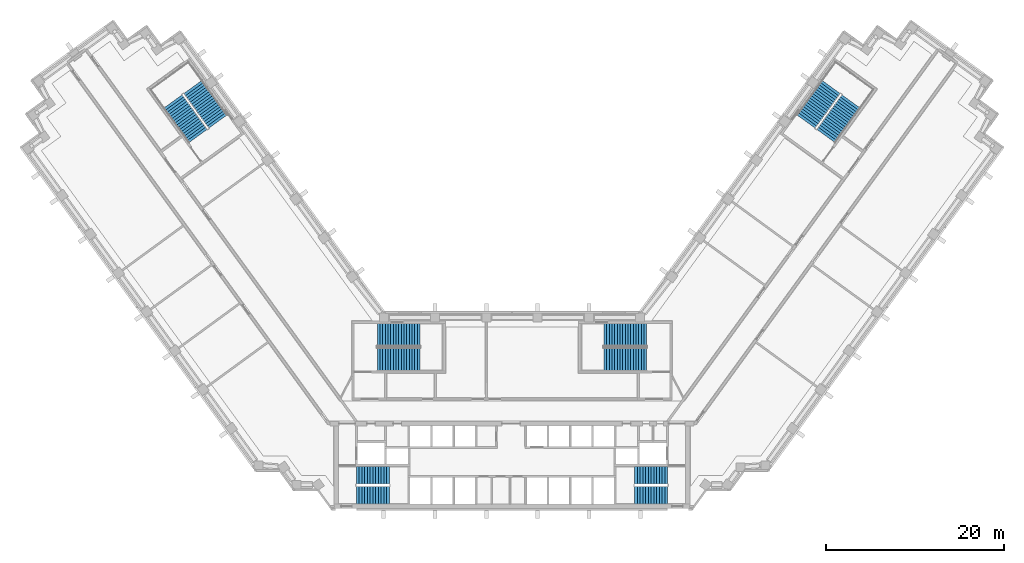
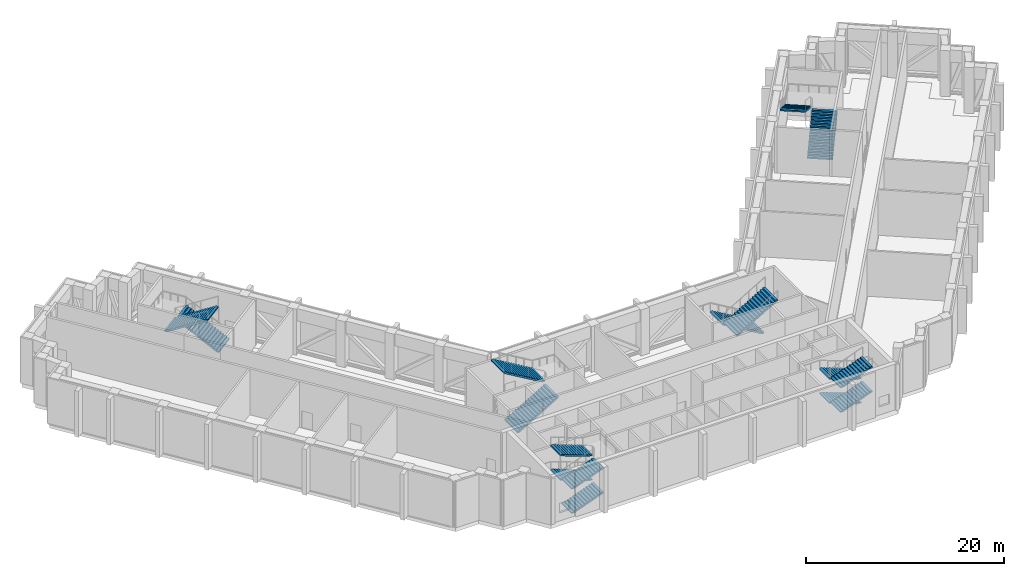
# One storey, part 16 of 19: 16 stair flights, 6 elements without a shape of their own.
"""IFC4 building model written with IfcOpenShell, lengths in metres."""

from ifc_helpers import new_model, si_unit, direction, frame, origin, place, context, subcontext, project, spatial, polyline, outline, extrude, material, type_object, element, aggregate, save


model = new_model("IFC4")

# Units and contexts
model_context = context("Model", 3, precision=1e-05, world=origin(), true_north=direction((0.0, 1.0)))
body_context = subcontext(model_context, "Body", "Model", "MODEL_VIEW")
ifc_project = project(units=[si_unit("LENGTHUNIT", "METRE"), si_unit("AREAUNIT", "SQUARE_METRE"), si_unit("VOLUMEUNIT", "CUBIC_METRE"), si_unit("PLANEANGLEUNIT", "RADIAN"), si_unit("MASSUNIT", "GRAM", prefix="KILO")], contexts=[model_context])

# Site, building, storey
site_placement = place(None, origin())
site = spatial("IfcSite", under=ifc_project, at=site_placement, CompositionType="ELEMENT")
building_placement = place(site_placement, origin())
building = spatial("IfcBuilding", under=site, at=building_placement, Name="Quipu Civic Tower", CompositionType="ELEMENT")
storey_placement = place(building_placement, frame((0.0, 0.0, 25.0)))
storey = spatial("IfcBuildingStorey", under=building, at=storey_placement, Name="L05", CompositionType="ELEMENT", Elevation=25.0)

# Stair, stair flights
ifc_material_1 = material(Name="Concrete C40/50", Category="concrete")
stair_type_1 = type_object("IfcStairType", Name="Half turn stair 2000", PredefinedType="HALF_TURN_STAIR", material=ifc_material_1)
stair_1_placement = place(storey_placement, origin())
stair_1 = element("IfcStair", 1, at=stair_1_placement, inside=storey, type_object=stair_type_1, Name="Exit stair 1", PredefinedType="HALF_TURN_STAIR")
ifc_material_2 = material(Name="Concrete C40/50", Category="concrete")
stair_flight_type_1 = type_object("IfcStairFlightType", Name="Stair flight 2000", PredefinedType="STRAIGHT", material=ifc_material_2)
stair_flight_1_placement = place(storey_placement, frame((-17.5, -9.5, 0.0), z_axis=(0.0, 0.0, 1.0), x_axis=(1.0, 0.0, 0.0)))
stair_flight_1 = element("IfcStairFlight", 2, at=stair_flight_1_placement, type_object=stair_flight_type_1, Name="ST-1 flight 1", NumberOfRisers=13, NumberOfTreads=12, PredefinedType="STRAIGHT", RiserHeight=0.115384615, TreadLength=0.31, context=body_context, shape_type="SweptSolid", body=[
    extrude(outline(polyline([(0.0, 0.0), (0.0, 0.115478515625), (0.31005859375, 0.115478515625), (0.31005859375, 0.230712890625), (0.6201171875, 0.230712890625), (0.6201171875, 0.34619140625), (0.929931640625, 0.34619140625), (0.929931640625, 0.46142578125), (1.239990234375, 0.46142578125), (1.239990234375, 0.576904296875), (1.550048828125, 0.576904296875), (1.550048828125, 0.6923828125), (1.860107421875, 0.6923828125), (1.860107421875, 0.8076171875), (2.169921875, 0.8076171875), (2.169921875, 0.923095703125), (2.47998046875, 0.923095703125), (2.47998046875, 1.03857421875), (2.7900390625, 1.03857421875), (2.7900390625, 1.15380859375), (3.10009765625, 1.15380859375), (3.10009765625, 1.269287109375), (3.409912109375, 1.269287109375), (3.409912109375, 1.384521484375), (3.719970703125, 1.384521484375), (3.719970703125, 1.5), (3.719970703125, 1.224609375), (0.4296875, 0.0), (0.0, 0.0)])), frame((0.0, 1.0, 0.0), z_axis=(0.0, -1.0, 0.0), x_axis=(1.0, 0.0, 0.0)), (0.0, 0.0, 1.0), 2.0),
])
stair_flight_2_placement = place(storey_placement, frame((-13.780029296875, -7.25, 1.5), z_axis=(0.0, 0.0, 1.0), x_axis=(-1.0, 0.0, 0.0)))
stair_flight_2 = element("IfcStairFlight", 3, at=stair_flight_2_placement, type_object=stair_flight_type_1, Name="ST-1 flight 2", NumberOfRisers=13, NumberOfTreads=12, PredefinedType="STRAIGHT", RiserHeight=0.115384615, TreadLength=0.31, context=body_context, shape_type="SweptSolid", body=[
    extrude(outline(polyline([(0.0, 0.0), (0.0, 0.115478515625), (0.31005859375, 0.115478515625), (0.31005859375, 0.230712890625), (0.6201171875, 0.230712890625), (0.6201171875, 0.34619140625), (0.929931640625, 0.34619140625), (0.929931640625, 0.46142578125), (1.239990234375, 0.46142578125), (1.239990234375, 0.576904296875), (1.550048828125, 0.576904296875), (1.550048828125, 0.6923828125), (1.860107421875, 0.6923828125), (1.860107421875, 0.8076171875), (2.169921875, 0.8076171875), (2.169921875, 0.923095703125), (2.47998046875, 0.923095703125), (2.47998046875, 1.03857421875), (2.7900390625, 1.03857421875), (2.7900390625, 1.15380859375), (3.10009765625, 1.15380859375), (3.10009765625, 1.269287109375), (3.409912109375, 1.269287109375), (3.409912109375, 1.384521484375), (3.719970703125, 1.384521484375), (3.719970703125, 1.5), (3.719970703125, 1.224609375), (0.4296875, 0.0), (0.0, 0.0)])), frame((0.0, 1.0, 0.0), z_axis=(0.0, -1.0, 0.0), x_axis=(1.0, 0.0, 0.0)), (0.0, 0.0, 1.0), 2.0),
])
stair_flight_3_placement = place(storey_placement, frame((-17.5, -9.5, 3.0), z_axis=(0.0, 0.0, 1.0), x_axis=(1.0, 0.0, 0.0)))
stair_flight_3 = element("IfcStairFlight", 4, at=stair_flight_3_placement, type_object=stair_flight_type_1, Name="ST-1 flight 3", NumberOfRisers=13, NumberOfTreads=12, PredefinedType="STRAIGHT", RiserHeight=0.115384615, TreadLength=0.31, context=body_context, shape_type="SweptSolid", body=[
    extrude(outline(polyline([(0.0, 0.0), (0.0, 0.115478515625), (0.31005859375, 0.115478515625), (0.31005859375, 0.230712890625), (0.6201171875, 0.230712890625), (0.6201171875, 0.34619140625), (0.929931640625, 0.34619140625), (0.929931640625, 0.46142578125), (1.239990234375, 0.46142578125), (1.239990234375, 0.576904296875), (1.550048828125, 0.576904296875), (1.550048828125, 0.6923828125), (1.860107421875, 0.6923828125), (1.860107421875, 0.8076171875), (2.169921875, 0.8076171875), (2.169921875, 0.923095703125), (2.47998046875, 0.923095703125), (2.47998046875, 1.03857421875), (2.7900390625, 1.03857421875), (2.7900390625, 1.15380859375), (3.10009765625, 1.15380859375), (3.10009765625, 1.269287109375), (3.409912109375, 1.269287109375), (3.409912109375, 1.384521484375), (3.719970703125, 1.384521484375), (3.719970703125, 1.5), (3.719970703125, 1.224609375), (0.4296875, 0.0), (0.0, 0.0)])), frame((0.0, 1.0, 0.0), z_axis=(0.0, -1.0, 0.0), x_axis=(1.0, 0.0, 0.0)), (0.0, 0.0, 1.0), 2.0),
])
stair_flight_4_placement = place(storey_placement, frame((-13.780029296875, -7.25, 4.5), z_axis=(0.0, 0.0, 1.0), x_axis=(-1.0, 0.0, 0.0)))
stair_flight_4 = element("IfcStairFlight", 5, at=stair_flight_4_placement, type_object=stair_flight_type_1, Name="ST-1 flight 4", NumberOfRisers=13, NumberOfTreads=12, PredefinedType="STRAIGHT", RiserHeight=0.115384615, TreadLength=0.31, context=body_context, shape_type="SweptSolid", body=[
    extrude(outline(polyline([(0.0, 0.0), (0.0, 0.115478515625), (0.31005859375, 0.115478515625), (0.31005859375, 0.230712890625), (0.6201171875, 0.230712890625), (0.6201171875, 0.34619140625), (0.929931640625, 0.34619140625), (0.929931640625, 0.46142578125), (1.239990234375, 0.46142578125), (1.239990234375, 0.576904296875), (1.550048828125, 0.576904296875), (1.550048828125, 0.6923828125), (1.860107421875, 0.6923828125), (1.860107421875, 0.8076171875), (2.169921875, 0.8076171875), (2.169921875, 0.923095703125), (2.47998046875, 0.923095703125), (2.47998046875, 1.03857421875), (2.7900390625, 1.03857421875), (2.7900390625, 1.15380859375), (3.10009765625, 1.15380859375), (3.10009765625, 1.269287109375), (3.409912109375, 1.269287109375), (3.409912109375, 1.384521484375), (3.719970703125, 1.384521484375), (3.719970703125, 1.5), (3.719970703125, 1.224609375), (0.4296875, 0.0), (0.0, 0.0)])), frame((0.0, 1.0, 0.0), z_axis=(0.0, -1.0, 0.0), x_axis=(1.0, 0.0, 0.0)), (0.0, 0.0, 1.0), 2.0),
])
aggregate(stair_1, [stair_flight_1, stair_flight_2, stair_flight_3, stair_flight_4])

stair_2_placement = place(storey_placement, origin())
stair_2 = element("IfcStair", 6, at=stair_2_placement, inside=storey, type_object=stair_type_1, Name="Exit stair 2", PredefinedType="HALF_TURN_STAIR")
stair_flight_5_placement = place(storey_placement, frame((17.5, -7.25, 0.0), z_axis=(0.0, 0.0, 1.0), x_axis=(-1.0, 0.0, 0.0)))
stair_flight_5 = element("IfcStairFlight", 7, at=stair_flight_5_placement, type_object=stair_flight_type_1, Name="ST-2 flight 1", NumberOfRisers=13, NumberOfTreads=12, PredefinedType="STRAIGHT", RiserHeight=0.115384615, TreadLength=0.31, context=body_context, shape_type="SweptSolid", body=[
    extrude(outline(polyline([(0.0, 0.0), (0.0, 0.115478515625), (0.31005859375, 0.115478515625), (0.31005859375, 0.230712890625), (0.6201171875, 0.230712890625), (0.6201171875, 0.34619140625), (0.929931640625, 0.34619140625), (0.929931640625, 0.46142578125), (1.239990234375, 0.46142578125), (1.239990234375, 0.576904296875), (1.550048828125, 0.576904296875), (1.550048828125, 0.6923828125), (1.860107421875, 0.6923828125), (1.860107421875, 0.8076171875), (2.169921875, 0.8076171875), (2.169921875, 0.923095703125), (2.47998046875, 0.923095703125), (2.47998046875, 1.03857421875), (2.7900390625, 1.03857421875), (2.7900390625, 1.15380859375), (3.10009765625, 1.15380859375), (3.10009765625, 1.269287109375), (3.409912109375, 1.269287109375), (3.409912109375, 1.384521484375), (3.719970703125, 1.384521484375), (3.719970703125, 1.5), (3.719970703125, 1.224609375), (0.4296875, 0.0), (0.0, 0.0)])), frame((0.0, 1.0, 0.0), z_axis=(0.0, -1.0, 0.0), x_axis=(1.0, 0.0, 0.0)), (0.0, 0.0, 1.0), 2.0),
])
stair_flight_6_placement = place(storey_placement, frame((13.780029296875, -9.5, 1.5), z_axis=(0.0, 0.0, 1.0), x_axis=(1.0, 0.0, 0.0)))
stair_flight_6 = element("IfcStairFlight", 8, at=stair_flight_6_placement, type_object=stair_flight_type_1, Name="ST-2 flight 2", NumberOfRisers=13, NumberOfTreads=12, PredefinedType="STRAIGHT", RiserHeight=0.115384615, TreadLength=0.31, context=body_context, shape_type="SweptSolid", body=[
    extrude(outline(polyline([(0.0, 0.0), (0.0, 0.115478515625), (0.31005859375, 0.115478515625), (0.31005859375, 0.230712890625), (0.6201171875, 0.230712890625), (0.6201171875, 0.34619140625), (0.929931640625, 0.34619140625), (0.929931640625, 0.46142578125), (1.239990234375, 0.46142578125), (1.239990234375, 0.576904296875), (1.550048828125, 0.576904296875), (1.550048828125, 0.6923828125), (1.860107421875, 0.6923828125), (1.860107421875, 0.8076171875), (2.169921875, 0.8076171875), (2.169921875, 0.923095703125), (2.47998046875, 0.923095703125), (2.47998046875, 1.03857421875), (2.7900390625, 1.03857421875), (2.7900390625, 1.15380859375), (3.10009765625, 1.15380859375), (3.10009765625, 1.269287109375), (3.409912109375, 1.269287109375), (3.409912109375, 1.384521484375), (3.719970703125, 1.384521484375), (3.719970703125, 1.5), (3.719970703125, 1.224609375), (0.4296875, 0.0), (0.0, 0.0)])), frame((0.0, 1.0, 0.0), z_axis=(0.0, -1.0, 0.0), x_axis=(1.0, 0.0, 0.0)), (0.0, 0.0, 1.0), 2.0),
])
stair_flight_7_placement = place(storey_placement, frame((17.5, -7.25, 3.0), z_axis=(0.0, 0.0, 1.0), x_axis=(-1.0, 0.0, 0.0)))
stair_flight_7 = element("IfcStairFlight", 9, at=stair_flight_7_placement, type_object=stair_flight_type_1, Name="ST-2 flight 3", NumberOfRisers=13, NumberOfTreads=12, PredefinedType="STRAIGHT", RiserHeight=0.115384615, TreadLength=0.31, context=body_context, shape_type="SweptSolid", body=[
    extrude(outline(polyline([(0.0, 0.0), (0.0, 0.115478515625), (0.31005859375, 0.115478515625), (0.31005859375, 0.230712890625), (0.6201171875, 0.230712890625), (0.6201171875, 0.34619140625), (0.929931640625, 0.34619140625), (0.929931640625, 0.46142578125), (1.239990234375, 0.46142578125), (1.239990234375, 0.576904296875), (1.550048828125, 0.576904296875), (1.550048828125, 0.6923828125), (1.860107421875, 0.6923828125), (1.860107421875, 0.8076171875), (2.169921875, 0.8076171875), (2.169921875, 0.923095703125), (2.47998046875, 0.923095703125), (2.47998046875, 1.03857421875), (2.7900390625, 1.03857421875), (2.7900390625, 1.15380859375), (3.10009765625, 1.15380859375), (3.10009765625, 1.269287109375), (3.409912109375, 1.269287109375), (3.409912109375, 1.384521484375), (3.719970703125, 1.384521484375), (3.719970703125, 1.5), (3.719970703125, 1.224609375), (0.4296875, 0.0), (0.0, 0.0)])), frame((0.0, 1.0, 0.0), z_axis=(0.0, -1.0, 0.0), x_axis=(1.0, 0.0, 0.0)), (0.0, 0.0, 1.0), 2.0),
])
stair_flight_8_placement = place(storey_placement, frame((13.780029296875, -9.5, 4.5), z_axis=(0.0, 0.0, 1.0), x_axis=(1.0, 0.0, 0.0)))
stair_flight_8 = element("IfcStairFlight", 10, at=stair_flight_8_placement, type_object=stair_flight_type_1, Name="ST-2 flight 4", NumberOfRisers=13, NumberOfTreads=12, PredefinedType="STRAIGHT", RiserHeight=0.115384615, TreadLength=0.31, context=body_context, shape_type="SweptSolid", body=[
    extrude(outline(polyline([(0.0, 0.0), (0.0, 0.115478515625), (0.31005859375, 0.115478515625), (0.31005859375, 0.230712890625), (0.6201171875, 0.230712890625), (0.6201171875, 0.34619140625), (0.929931640625, 0.34619140625), (0.929931640625, 0.46142578125), (1.239990234375, 0.46142578125), (1.239990234375, 0.576904296875), (1.550048828125, 0.576904296875), (1.550048828125, 0.6923828125), (1.860107421875, 0.6923828125), (1.860107421875, 0.8076171875), (2.169921875, 0.8076171875), (2.169921875, 0.923095703125), (2.47998046875, 0.923095703125), (2.47998046875, 1.03857421875), (2.7900390625, 1.03857421875), (2.7900390625, 1.15380859375), (3.10009765625, 1.15380859375), (3.10009765625, 1.269287109375), (3.409912109375, 1.269287109375), (3.409912109375, 1.384521484375), (3.719970703125, 1.384521484375), (3.719970703125, 1.5), (3.719970703125, 1.224609375), (0.4296875, 0.0), (0.0, 0.0)])), frame((0.0, 1.0, 0.0), z_axis=(0.0, -1.0, 0.0), x_axis=(1.0, 0.0, 0.0)), (0.0, 0.0, 1.0), 2.0),
])
aggregate(stair_2, [stair_flight_5, stair_flight_6, stair_flight_7, stair_flight_8])

ifc_material_3 = material(Name="Concrete C40/50", Category="concrete")
stair_type_2 = type_object("IfcStairType", Name="Half turn stair 2600", PredefinedType="HALF_TURN_STAIR", material=ifc_material_3)
stair_3_placement = place(storey_placement, origin())
stair_3 = element("IfcStair", 11, at=stair_3_placement, inside=storey, type_object=stair_type_2, Name="Exit stair 3", PredefinedType="HALF_TURN_STAIR")
ifc_material_4 = material(Name="Concrete C40/50", Category="concrete")
stair_flight_type_2 = type_object("IfcStairFlightType", Name="Stair flight 2600", PredefinedType="STRAIGHT", material=ifc_material_4)
stair_flight_9_placement = place(storey_placement, frame((-15.14990234375, 5.800048828125, 0.0), z_axis=(0.0, 0.0, 1.0), x_axis=(1.0, 0.0, 0.0)))
stair_flight_9 = element("IfcStairFlight", 12, at=stair_flight_9_placement, type_object=stair_flight_type_2, Name="ST-3 flight 1", NumberOfRisers=17, NumberOfTreads=16, PredefinedType="STRAIGHT", RiserHeight=0.176470588, TreadLength=0.3, context=body_context, shape_type="SweptSolid", body=[
    extrude(outline(polyline([(0.0, 0.0), (0.0, 0.176513671875), (0.300048828125, 0.176513671875), (0.300048828125, 0.35302734375), (0.60009765625, 0.35302734375), (0.60009765625, 0.529296875), (0.89990234375, 0.529296875), (0.89990234375, 0.705810546875), (1.199951171875, 0.705810546875), (1.199951171875, 0.88232421875), (1.5, 0.88232421875), (1.5, 1.058837890625), (1.800048828125, 1.058837890625), (1.800048828125, 1.2353515625), (2.10009765625, 1.2353515625), (2.10009765625, 1.411865234375), (2.39990234375, 1.411865234375), (2.39990234375, 1.588134765625), (2.699951171875, 1.588134765625), (2.699951171875, 1.7646484375), (3.0, 1.7646484375), (3.0, 1.941162109375), (3.300048828125, 1.941162109375), (3.300048828125, 2.11767578125), (3.60009765625, 2.11767578125), (3.60009765625, 2.294189453125), (3.89990234375, 2.294189453125), (3.89990234375, 2.470703125), (4.199951171875, 2.470703125), (4.199951171875, 2.64697265625), (4.5, 2.64697265625), (4.5, 2.823486328125), (4.800048828125, 2.823486328125), (4.800048828125, 3.0), (4.800048828125, 2.649658203125), (0.295654296875, 0.0), (0.0, 0.0)])), frame((0.0, 1.300048828125, 0.0), z_axis=(0.0, -1.0, 0.0), x_axis=(1.0, 0.0, 0.0)), (0.0, 0.0, 1.0), 2.60009765625),
])
stair_flight_10_placement = place(storey_placement, frame((-10.35009765625, 8.550048828125, 3.0), z_axis=(0.0, 0.0, 1.0), x_axis=(-1.0, 0.0, 0.0)))
stair_flight_10 = element("IfcStairFlight", 13, at=stair_flight_10_placement, type_object=stair_flight_type_2, Name="ST-3 flight 2", NumberOfRisers=17, NumberOfTreads=16, PredefinedType="STRAIGHT", RiserHeight=0.176470588, TreadLength=0.3, context=body_context, shape_type="SweptSolid", body=[
    extrude(outline(polyline([(0.0, 0.0), (0.0, 0.176513671875), (0.300048828125, 0.176513671875), (0.300048828125, 0.35302734375), (0.60009765625, 0.35302734375), (0.60009765625, 0.529296875), (0.89990234375, 0.529296875), (0.89990234375, 0.705810546875), (1.199951171875, 0.705810546875), (1.199951171875, 0.88232421875), (1.5, 0.88232421875), (1.5, 1.058837890625), (1.800048828125, 1.058837890625), (1.800048828125, 1.2353515625), (2.10009765625, 1.2353515625), (2.10009765625, 1.411865234375), (2.39990234375, 1.411865234375), (2.39990234375, 1.588134765625), (2.699951171875, 1.588134765625), (2.699951171875, 1.7646484375), (3.0, 1.7646484375), (3.0, 1.941162109375), (3.300048828125, 1.941162109375), (3.300048828125, 2.11767578125), (3.60009765625, 2.11767578125), (3.60009765625, 2.294189453125), (3.89990234375, 2.294189453125), (3.89990234375, 2.470703125), (4.199951171875, 2.470703125), (4.199951171875, 2.64697265625), (4.5, 2.64697265625), (4.5, 2.823486328125), (4.800048828125, 2.823486328125), (4.800048828125, 3.0), (4.800048828125, 2.649658203125), (0.295654296875, 0.0), (0.0, 0.0)])), frame((0.0, 1.300048828125, 0.0), z_axis=(0.0, -1.0, 0.0), x_axis=(1.0, 0.0, 0.0)), (0.0, 0.0, 1.0), 2.60009765625),
])
aggregate(stair_3, [stair_flight_9, stair_flight_10])

stair_4_placement = place(storey_placement, origin())
stair_4 = element("IfcStair", 14, at=stair_4_placement, inside=storey, type_object=stair_type_2, Name="Exit stair 4", PredefinedType="HALF_TURN_STAIR")
stair_flight_11_placement = place(storey_placement, frame((15.14990234375, 8.550048828125, 0.0), z_axis=(0.0, 0.0, 1.0), x_axis=(-1.0, 0.0, 0.0)))
stair_flight_11 = element("IfcStairFlight", 15, at=stair_flight_11_placement, type_object=stair_flight_type_2, Name="ST-4 flight 1", NumberOfRisers=17, NumberOfTreads=16, PredefinedType="STRAIGHT", RiserHeight=0.176470588, TreadLength=0.3, context=body_context, shape_type="SweptSolid", body=[
    extrude(outline(polyline([(0.0, 0.0), (0.0, 0.176513671875), (0.300048828125, 0.176513671875), (0.300048828125, 0.35302734375), (0.60009765625, 0.35302734375), (0.60009765625, 0.529296875), (0.89990234375, 0.529296875), (0.89990234375, 0.705810546875), (1.199951171875, 0.705810546875), (1.199951171875, 0.88232421875), (1.5, 0.88232421875), (1.5, 1.058837890625), (1.800048828125, 1.058837890625), (1.800048828125, 1.2353515625), (2.10009765625, 1.2353515625), (2.10009765625, 1.411865234375), (2.39990234375, 1.411865234375), (2.39990234375, 1.588134765625), (2.699951171875, 1.588134765625), (2.699951171875, 1.7646484375), (3.0, 1.7646484375), (3.0, 1.941162109375), (3.300048828125, 1.941162109375), (3.300048828125, 2.11767578125), (3.60009765625, 2.11767578125), (3.60009765625, 2.294189453125), (3.89990234375, 2.294189453125), (3.89990234375, 2.470703125), (4.199951171875, 2.470703125), (4.199951171875, 2.64697265625), (4.5, 2.64697265625), (4.5, 2.823486328125), (4.800048828125, 2.823486328125), (4.800048828125, 3.0), (4.800048828125, 2.649658203125), (0.295654296875, 0.0), (0.0, 0.0)])), frame((0.0, 1.300048828125, 0.0), z_axis=(0.0, -1.0, 0.0), x_axis=(1.0, 0.0, 0.0)), (0.0, 0.0, 1.0), 2.60009765625),
])
stair_flight_12_placement = place(storey_placement, frame((10.35009765625, 5.800048828125, 3.0), z_axis=(0.0, 0.0, 1.0), x_axis=(1.0, 0.0, 0.0)))
stair_flight_12 = element("IfcStairFlight", 16, at=stair_flight_12_placement, type_object=stair_flight_type_2, Name="ST-4 flight 2", NumberOfRisers=17, NumberOfTreads=16, PredefinedType="STRAIGHT", RiserHeight=0.176470588, TreadLength=0.3, context=body_context, shape_type="SweptSolid", body=[
    extrude(outline(polyline([(0.0, 0.0), (0.0, 0.176513671875), (0.300048828125, 0.176513671875), (0.300048828125, 0.35302734375), (0.60009765625, 0.35302734375), (0.60009765625, 0.529296875), (0.89990234375, 0.529296875), (0.89990234375, 0.705810546875), (1.199951171875, 0.705810546875), (1.199951171875, 0.88232421875), (1.5, 0.88232421875), (1.5, 1.058837890625), (1.800048828125, 1.058837890625), (1.800048828125, 1.2353515625), (2.10009765625, 1.2353515625), (2.10009765625, 1.411865234375), (2.39990234375, 1.411865234375), (2.39990234375, 1.588134765625), (2.699951171875, 1.588134765625), (2.699951171875, 1.7646484375), (3.0, 1.7646484375), (3.0, 1.941162109375), (3.300048828125, 1.941162109375), (3.300048828125, 2.11767578125), (3.60009765625, 2.11767578125), (3.60009765625, 2.294189453125), (3.89990234375, 2.294189453125), (3.89990234375, 2.470703125), (4.199951171875, 2.470703125), (4.199951171875, 2.64697265625), (4.5, 2.64697265625), (4.5, 2.823486328125), (4.800048828125, 2.823486328125), (4.800048828125, 3.0), (4.800048828125, 2.649658203125), (0.295654296875, 0.0), (0.0, 0.0)])), frame((0.0, 1.300048828125, 0.0), z_axis=(0.0, -1.0, 0.0), x_axis=(1.0, 0.0, 0.0)), (0.0, 0.0, 1.0), 2.60009765625),
])
aggregate(stair_4, [stair_flight_11, stair_flight_12])

stair_5_placement = place(storey_placement, origin())
stair_5 = element("IfcStair", 17, at=stair_5_placement, inside=storey, type_object=stair_type_2, Name="Exit stair 6", PredefinedType="HALF_TURN_STAIR")
stair_flight_13_placement = place(storey_placement, frame((-33.067626953125, 32.5322265625, 0.0), z_axis=(0.0, 0.0, 1.0), x_axis=(-0.587785252292, 0.809016994375, 0.0)))
stair_flight_13 = element("IfcStairFlight", 18, at=stair_flight_13_placement, type_object=stair_flight_type_2, Name="ST-6 flight 1", NumberOfRisers=17, NumberOfTreads=16, PredefinedType="STRAIGHT", RiserHeight=0.176470588, TreadLength=0.3, context=body_context, shape_type="SweptSolid", body=[
    extrude(outline(polyline([(0.0, 0.0), (0.0, 0.176513671875), (0.300048828125, 0.176513671875), (0.300048828125, 0.35302734375), (0.60009765625, 0.35302734375), (0.60009765625, 0.529296875), (0.89990234375, 0.529296875), (0.89990234375, 0.705810546875), (1.199951171875, 0.705810546875), (1.199951171875, 0.88232421875), (1.5, 0.88232421875), (1.5, 1.058837890625), (1.800048828125, 1.058837890625), (1.800048828125, 1.2353515625), (2.10009765625, 1.2353515625), (2.10009765625, 1.411865234375), (2.39990234375, 1.411865234375), (2.39990234375, 1.588134765625), (2.699951171875, 1.588134765625), (2.699951171875, 1.7646484375), (3.0, 1.7646484375), (3.0, 1.941162109375), (3.300048828125, 1.941162109375), (3.300048828125, 2.11767578125), (3.60009765625, 2.11767578125), (3.60009765625, 2.294189453125), (3.89990234375, 2.294189453125), (3.89990234375, 2.470703125), (4.199951171875, 2.470703125), (4.199951171875, 2.64697265625), (4.5, 2.64697265625), (4.5, 2.823486328125), (4.800048828125, 2.823486328125), (4.800048828125, 3.0), (4.800048828125, 2.649658203125), (0.295654296875, 0.0), (0.0, 0.0)])), frame((0.0, 1.300048828125, 0.0), z_axis=(0.0, -1.0, 0.0), x_axis=(1.0, 0.0, 0.0)), (0.0, 0.0, 1.0), 2.60009765625),
])
stair_flight_14_placement = place(storey_placement, frame((-38.11376953125, 34.799072265625, 3.0), z_axis=(0.0, 0.0, 1.0), x_axis=(0.587785252292, -0.809016994375, 0.0)))
stair_flight_14 = element("IfcStairFlight", 19, at=stair_flight_14_placement, type_object=stair_flight_type_2, Name="ST-6 flight 2", NumberOfRisers=17, NumberOfTreads=16, PredefinedType="STRAIGHT", RiserHeight=0.176470588, TreadLength=0.3, context=body_context, shape_type="SweptSolid", body=[
    extrude(outline(polyline([(0.0, 0.0), (0.0, 0.176513671875), (0.300048828125, 0.176513671875), (0.300048828125, 0.35302734375), (0.60009765625, 0.35302734375), (0.60009765625, 0.529296875), (0.89990234375, 0.529296875), (0.89990234375, 0.705810546875), (1.199951171875, 0.705810546875), (1.199951171875, 0.88232421875), (1.5, 0.88232421875), (1.5, 1.058837890625), (1.800048828125, 1.058837890625), (1.800048828125, 1.2353515625), (2.10009765625, 1.2353515625), (2.10009765625, 1.411865234375), (2.39990234375, 1.411865234375), (2.39990234375, 1.588134765625), (2.699951171875, 1.588134765625), (2.699951171875, 1.7646484375), (3.0, 1.7646484375), (3.0, 1.941162109375), (3.300048828125, 1.941162109375), (3.300048828125, 2.11767578125), (3.60009765625, 2.11767578125), (3.60009765625, 2.294189453125), (3.89990234375, 2.294189453125), (3.89990234375, 2.470703125), (4.199951171875, 2.470703125), (4.199951171875, 2.64697265625), (4.5, 2.64697265625), (4.5, 2.823486328125), (4.800048828125, 2.823486328125), (4.800048828125, 3.0), (4.800048828125, 2.649658203125), (0.295654296875, 0.0), (0.0, 0.0)])), frame((0.0, 1.300048828125, 0.0), z_axis=(0.0, -1.0, 0.0), x_axis=(1.0, 0.0, 0.0)), (0.0, 0.0, 1.0), 2.60009765625),
])
aggregate(stair_5, [stair_flight_13, stair_flight_14])

stair_6_placement = place(storey_placement, origin())
stair_6 = element("IfcStair", 20, at=stair_6_placement, inside=storey, type_object=stair_type_2, Name="Exit stair 7", PredefinedType="HALF_TURN_STAIR")
stair_flight_15_placement = place(storey_placement, frame((35.29248046875, 30.915771484375, 0.0), z_axis=(0.0, 0.0, 1.0), x_axis=(0.587785252292, 0.809016994375, 0.0)))
stair_flight_15 = element("IfcStairFlight", 21, at=stair_flight_15_placement, type_object=stair_flight_type_2, Name="ST-7 flight 1", NumberOfRisers=17, NumberOfTreads=16, PredefinedType="STRAIGHT", RiserHeight=0.176470588, TreadLength=0.3, context=body_context, shape_type="SweptSolid", body=[
    extrude(outline(polyline([(0.0, 0.0), (0.0, 0.176513671875), (0.300048828125, 0.176513671875), (0.300048828125, 0.35302734375), (0.60009765625, 0.35302734375), (0.60009765625, 0.529296875), (0.89990234375, 0.529296875), (0.89990234375, 0.705810546875), (1.199951171875, 0.705810546875), (1.199951171875, 0.88232421875), (1.5, 0.88232421875), (1.5, 1.058837890625), (1.800048828125, 1.058837890625), (1.800048828125, 1.2353515625), (2.10009765625, 1.2353515625), (2.10009765625, 1.411865234375), (2.39990234375, 1.411865234375), (2.39990234375, 1.588134765625), (2.699951171875, 1.588134765625), (2.699951171875, 1.7646484375), (3.0, 1.7646484375), (3.0, 1.941162109375), (3.300048828125, 1.941162109375), (3.300048828125, 2.11767578125), (3.60009765625, 2.11767578125), (3.60009765625, 2.294189453125), (3.89990234375, 2.294189453125), (3.89990234375, 2.470703125), (4.199951171875, 2.470703125), (4.199951171875, 2.64697265625), (4.5, 2.64697265625), (4.5, 2.823486328125), (4.800048828125, 2.823486328125), (4.800048828125, 3.0), (4.800048828125, 2.649658203125), (0.295654296875, 0.0), (0.0, 0.0)])), frame((0.0, 1.300048828125, 0.0), z_axis=(0.0, -1.0, 0.0), x_axis=(1.0, 0.0, 0.0)), (0.0, 0.0, 1.0), 2.60009765625),
])
stair_flight_16_placement = place(storey_placement, frame((35.888916015625, 36.41552734375, 3.0), z_axis=(0.0, 0.0, 1.0), x_axis=(-0.587785252292, -0.809016994375, 0.0)))
stair_flight_16 = element("IfcStairFlight", 22, at=stair_flight_16_placement, type_object=stair_flight_type_2, Name="ST-7 flight 2", NumberOfRisers=17, NumberOfTreads=16, PredefinedType="STRAIGHT", RiserHeight=0.176470588, TreadLength=0.3, context=body_context, shape_type="SweptSolid", body=[
    extrude(outline(polyline([(0.0, 0.0), (0.0, 0.176513671875), (0.300048828125, 0.176513671875), (0.300048828125, 0.35302734375), (0.60009765625, 0.35302734375), (0.60009765625, 0.529296875), (0.89990234375, 0.529296875), (0.89990234375, 0.705810546875), (1.199951171875, 0.705810546875), (1.199951171875, 0.88232421875), (1.5, 0.88232421875), (1.5, 1.058837890625), (1.800048828125, 1.058837890625), (1.800048828125, 1.2353515625), (2.10009765625, 1.2353515625), (2.10009765625, 1.411865234375), (2.39990234375, 1.411865234375), (2.39990234375, 1.588134765625), (2.699951171875, 1.588134765625), (2.699951171875, 1.7646484375), (3.0, 1.7646484375), (3.0, 1.941162109375), (3.300048828125, 1.941162109375), (3.300048828125, 2.11767578125), (3.60009765625, 2.11767578125), (3.60009765625, 2.294189453125), (3.89990234375, 2.294189453125), (3.89990234375, 2.470703125), (4.199951171875, 2.470703125), (4.199951171875, 2.64697265625), (4.5, 2.64697265625), (4.5, 2.823486328125), (4.800048828125, 2.823486328125), (4.800048828125, 3.0), (4.800048828125, 2.649658203125), (0.295654296875, 0.0), (0.0, 0.0)])), frame((0.0, 1.300048828125, 0.0), z_axis=(0.0, -1.0, 0.0), x_axis=(1.0, 0.0, 0.0)), (0.0, 0.0, 1.0), 2.60009765625),
])
aggregate(stair_6, [stair_flight_15, stair_flight_16])

save(model, "model.ifc")
